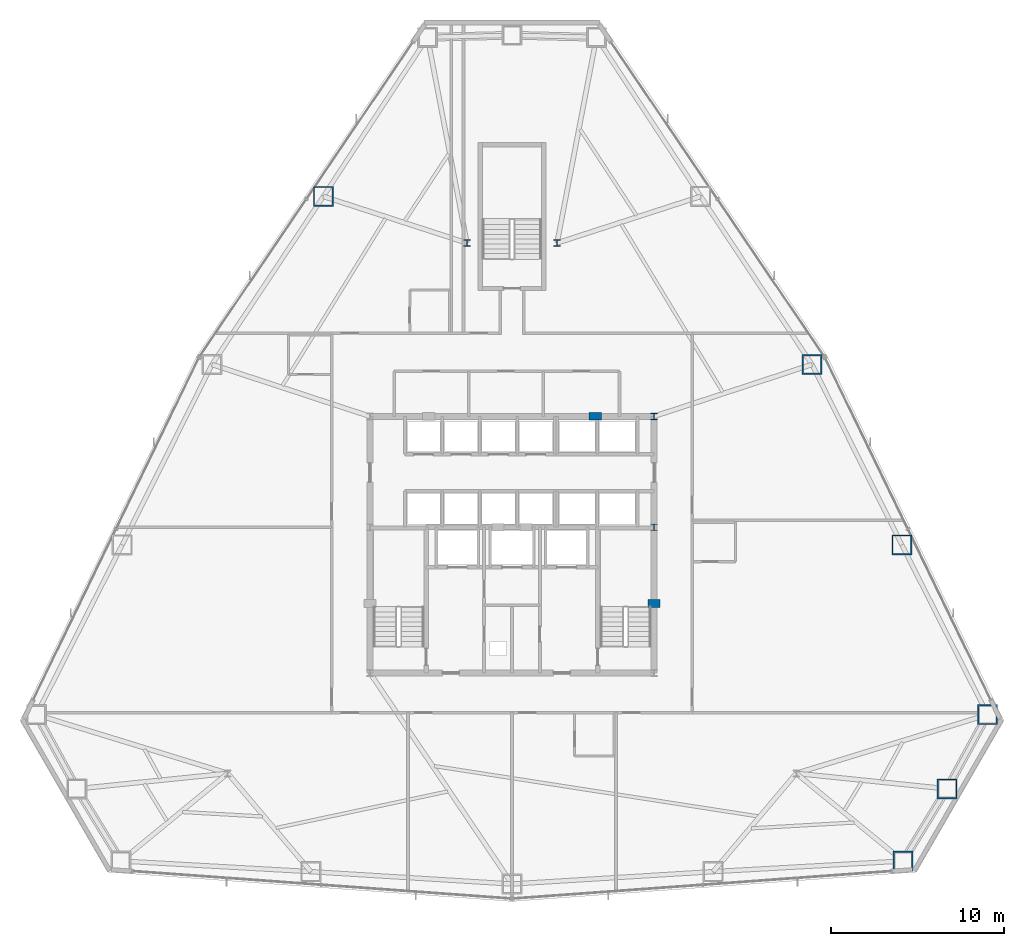
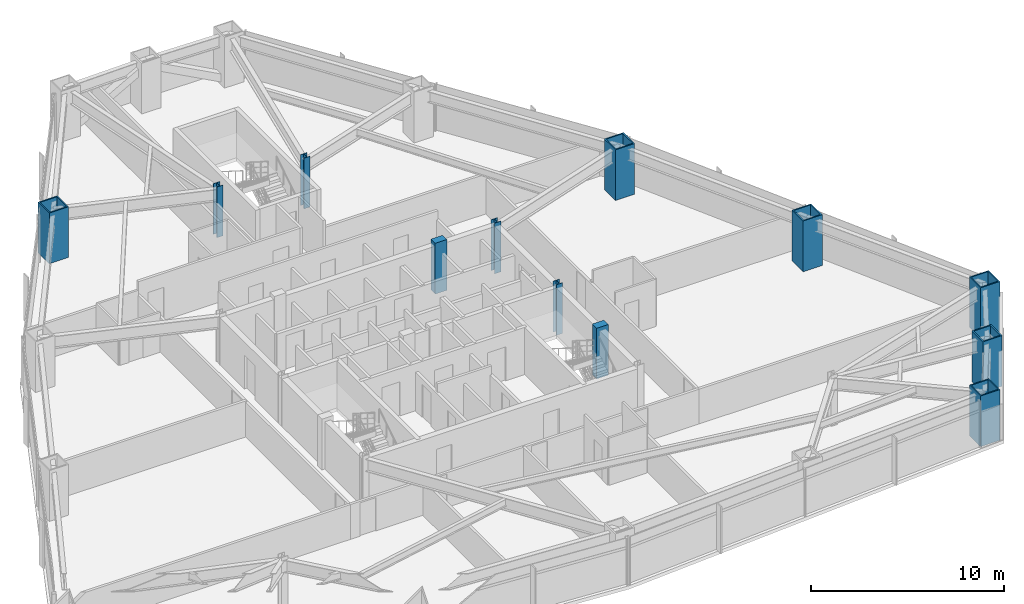
# One storey, part 2 of 12: 12 columns.
"""IFC4 building model written with IfcOpenShell, lengths in metres."""

from ifc_helpers import new_model, si_unit, direction, frame, origin, origin_2d, place, context, subcontext, project, spatial, rectangle, hollow_rectangle, i_section, extrude, material, material_profile, profile_set, type_object, element, save


model = new_model("IFC4")

# Units and contexts
model_context = context("Model", 3, precision=1e-05, world=origin(), true_north=direction((0.0, 1.0)))
body_context = subcontext(model_context, "Body", "Model", "MODEL_VIEW")
ifc_project = project(units=[si_unit("LENGTHUNIT", "METRE"), si_unit("AREAUNIT", "SQUARE_METRE"), si_unit("VOLUMEUNIT", "CUBIC_METRE"), si_unit("PLANEANGLEUNIT", "RADIAN"), si_unit("MASSUNIT", "GRAM", prefix="KILO")], contexts=[model_context])

# Site, building, storey
site_placement = place(None, origin())
site = spatial("IfcSite", under=ifc_project, at=site_placement, CompositionType="ELEMENT")
building_placement = place(site_placement, origin())
building = spatial("IfcBuilding", under=site, at=building_placement, Name="Varakhsha Concourse Tower", CompositionType="ELEMENT")
storey_placement = place(building_placement, frame((0.0, 0.0, 59.199951171875)))
storey = spatial("IfcBuildingStorey", under=building, at=storey_placement, Name="L16", CompositionType="ELEMENT", Elevation=59.199951171875)

# Columns
ifc_material_1 = material(Name="Structural Steel ASTM A992 Grade 50", Category="steel")
ifc_material_profile_1 = material_profile(ifc_material_1, i_section(OverallWidth=0.3740234375, OverallDepth=0.3720703125, WebThickness=0.01611328125, FlangeThickness=0.02587890625, at=origin_2d()), Name="W14X132")
ifc_profile_set_1 = profile_set([ifc_material_profile_1], Name="Structural Steel ASTM A992 Grade 50")
column_type_1 = type_object("IfcColumnType", Name="CL-CORE-W14X132", PredefinedType="COLUMN", material=ifc_profile_set_1)
for number, where, z_axis, x_axis, name in (
    (1, (48.199951171875, 24.800048828125, 0.0), (0.0, 0.0, 1.0), (1.0, 0.0, 0.0), "L16 Core Column CC-ME"),
    (2, (48.199951171875, 31.199951171875, 0.0), (0.0, 0.0, 1.0), (1.0, 0.0, 0.0), "L16 Core Column CC-NE"),
    (3, (37.39990234375, 41.199951171875, 0.0), (0.0, 0.0, 1.0), (1.0, 0.0, 0.0), "L16 Core Column NS-W"),
    (4, (42.60009765625, 41.199951171875, 0.0), (0.0, 0.0, 1.0), (1.0, 0.0, 0.0), "L16 Core Column NS-E"),
):
    element("IfcColumn", number, at=place(storey_placement, frame(where, z_axis=z_axis, x_axis=x_axis)), inside=storey, type_object=column_type_1, Name=name, PredefinedType="COLUMN", context=body_context, shape_type="SweptSolid", body=[
        extrude(i_section(OverallWidth=0.3740234375, OverallDepth=0.3720703125, WebThickness=0.01611328125, FlangeThickness=0.02587890625, at=origin_2d()), origin(), (0.0, 0.0, 1.0), 3.199951171875),
    ])
ifc_material_2 = material(Name="Concrete fc 65 MPa", Category="concrete")
ifc_material_profile_2 = material_profile(ifc_material_2, rectangle(XDim=0.699951171875, YDim=0.449951171875, at=origin_2d()), Name="RC 700x450")
ifc_profile_set_2 = profile_set([ifc_material_profile_2], Name="Concrete fc 65 MPa")
column_type_2 = type_object("IfcColumnType", Name="CL-PIL-700X450", PredefinedType="PILASTER", material=ifc_profile_set_2)
for number, where, z_axis, x_axis, name in (
    (5, (48.199951171875, 20.39990234375, 0.0), (0.0, 0.0, 1.0), (1.0, 0.0, 0.0), "L16 Core Boundary Pilaster PIL-E1"),
    (6, (44.800048828125, 31.199951171875, 0.0), (0.0, 0.0, 1.0), (1.0, 0.0, 0.0), "L16 Core Boundary Pilaster PIL-N2"),
):
    element("IfcColumn", number, at=place(storey_placement, frame(where, z_axis=z_axis, x_axis=x_axis)), inside=storey, type_object=column_type_2, Name=name, PredefinedType="PILASTER", context=body_context, shape_type="SweptSolid", body=[
        extrude(rectangle(XDim=0.699951171875, YDim=0.449951171875, at=origin_2d()), origin(), (0.0, 0.0, 1.0), 3.199951171875),
    ])
ifc_material_3 = material(Name="Structural Steel ASTM A572 Grade 50", Category="steel")
ifc_material_profile_3 = material_profile(ifc_material_3, hollow_rectangle(XDim=1.14990234375, YDim=1.14990234375, WallThickness=0.074951171875, at=origin_2d()), Name="BOX 1150x1150x75")
ifc_profile_set_3 = profile_set([ifc_material_profile_3], Name="Structural Steel ASTM A572 Grade 50")
column_type_3 = type_object("IfcColumnType", Name="CL-TUBE-1150", PredefinedType="COLUMN", material=ifc_profile_set_3)
for number, where, z_axis, x_axis, name in (
    (7, (29.115966796875, 43.887451171875, 0.0), (0.0, 0.0, 1.0), (1.0, 0.0, 0.0), "L16 Framed-Tube Column TC04"),
    (8, (62.56298828125, 5.544921875, 0.0), (0.0, 0.0, 1.0), (1.0, 0.0, 0.0), "L16 Framed-Tube Column TC13"),
    (9, (65.102294921875, 9.707275390625, 0.0), (0.0, 0.0, 1.0), (1.0, 0.0, 0.0), "L16 Framed-Tube Column TC14"),
    (10, (67.437255859375, 13.987548828125, 0.0), (0.0, 0.0, 1.0), (1.0, 0.0, 0.0), "L16 Framed-Tube Column TC15"),
    (11, (62.49169921875, 23.7822265625, 0.0), (0.0, 0.0, 1.0), (1.0, 0.0, 0.0), "L16 Framed-Tube Column TC16"),
    (12, (57.305419921875, 34.19140625, 0.0), (0.0, 0.0, 1.0), (1.0, 0.0, 0.0), "L16 Framed-Tube Column TC17"),
):
    element("IfcColumn", number, at=place(storey_placement, frame(where, z_axis=z_axis, x_axis=x_axis)), inside=storey, type_object=column_type_3, Name=name, PredefinedType="COLUMN", context=body_context, shape_type="SweptSolid", body=[
        extrude(hollow_rectangle(XDim=1.14990234375, YDim=1.14990234375, WallThickness=0.074951171875, at=origin_2d()), origin(), (0.0, 0.0, 1.0), 3.199951171875),
    ])

save(model, "model.ifc")
